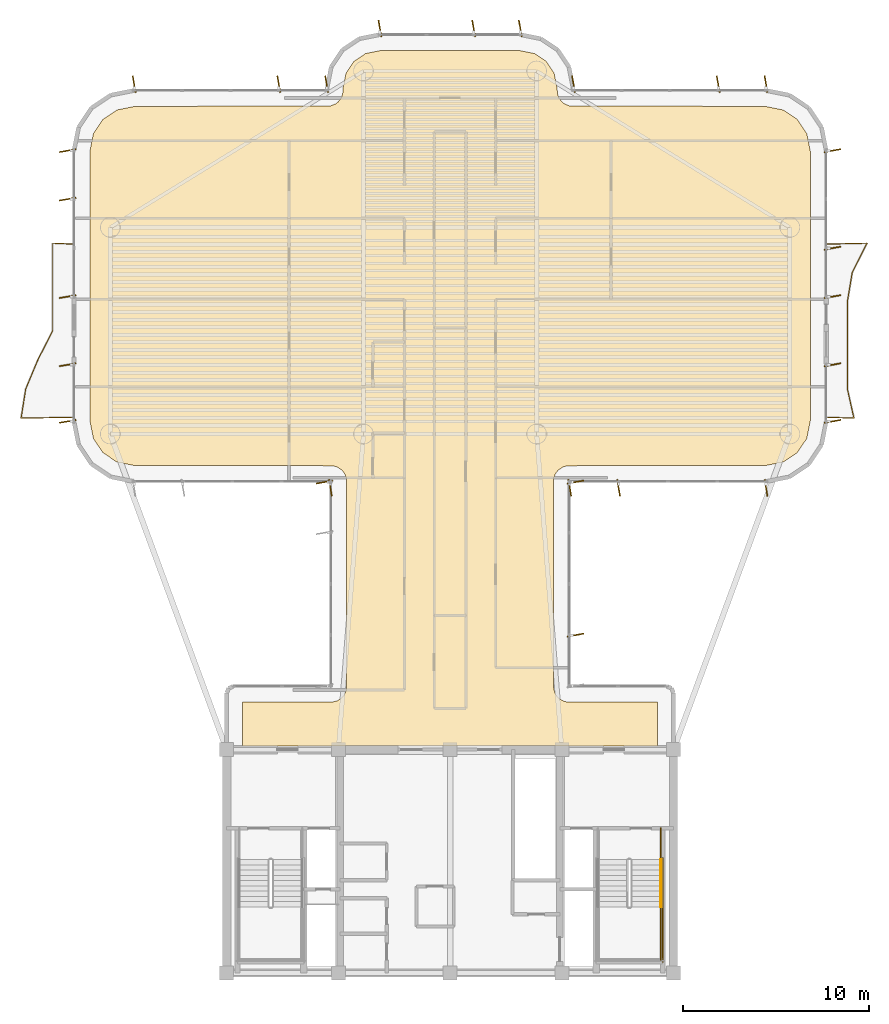
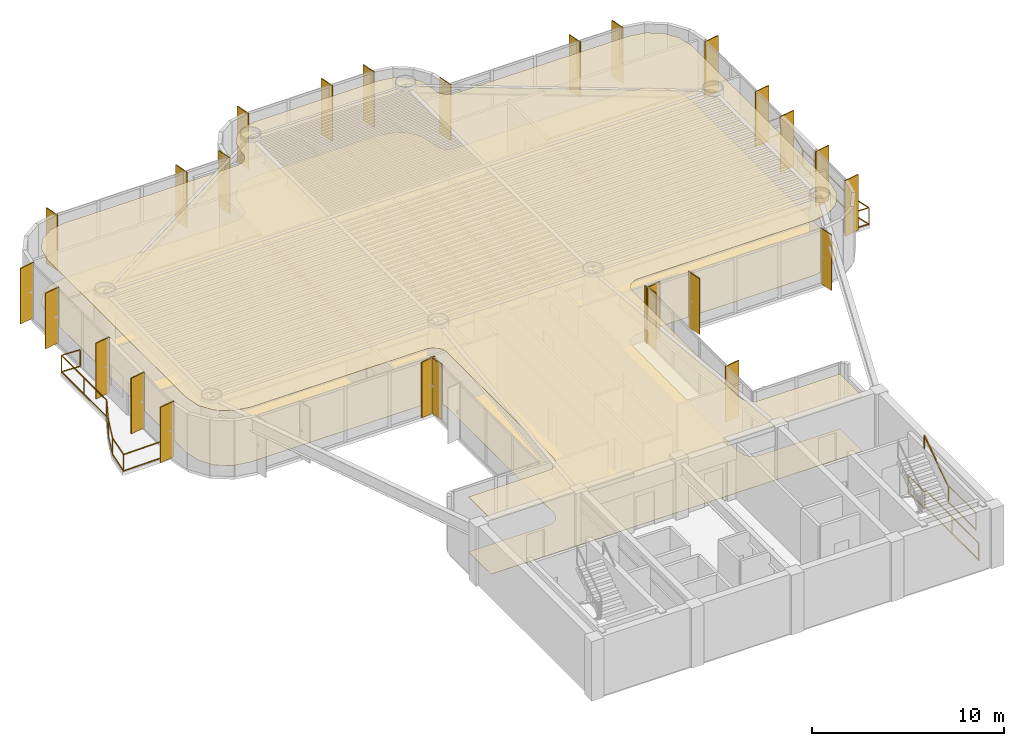
# One storey, part 14 of 14: 26 shading devices, 6 railings, 2 coverings.
"""IFC4 building model written with IfcOpenShell, lengths in metres."""

from ifc_helpers import new_model, si_unit, direction, frame, origin, origin_2d, place, context, subcontext, project, spatial, polyline, rectangle, outline, extrude, source, transform, mapped, material, layer, layer_set, material_profile, profile_set, type_object, element, save


model = new_model("IFC4")

# Units and contexts
model_context = context("Model", 3, precision=1e-05, world=origin(), true_north=direction((0.0, 1.0)))
body_context = subcontext(model_context, "Body", "Model", "MODEL_VIEW")
ifc_project = project(units=[si_unit("LENGTHUNIT", "METRE"), si_unit("AREAUNIT", "SQUARE_METRE"), si_unit("VOLUMEUNIT", "CUBIC_METRE"), si_unit("PLANEANGLEUNIT", "RADIAN"), si_unit("MASSUNIT", "GRAM", prefix="KILO")], contexts=[model_context])

# Site, building, storey
site_placement = place(None, origin())
site = spatial("IfcSite", under=ifc_project, at=site_placement, CompositionType="ELEMENT")
building_placement = place(site_placement, origin())
building = spatial("IfcBuilding", under=site, at=building_placement, Name="Brelvock Crest Care Tower", CompositionType="ELEMENT")
storey_placement = place(building_placement, frame((0.0, 0.0, 194.219970703125)))
storey = spatial("IfcBuildingStorey", under=building, at=storey_placement, Name="L49", CompositionType="ELEMENT", Elevation=194.219970703125)

# Coverings
ifc_material_1 = material(Name="Mineral Fibre Acoustic Ceiling Tile", Category="gypsum")
ifc_layer_1 = layer(ifc_material_1, 0.02490234375, Name="COV-CLG1")
ifc_layer_set_1 = layer_set([ifc_layer_1], Name="Mineral Fibre Acoustic Ceiling Tile")
covering_type_1 = type_object("IfcCoveringType", Name="COV-CLG1", PredefinedType="CEILING", material=ifc_layer_set_1)
covering_1_placement = place(storey_placement, frame((0.0, 0.0, 3.47509765625)))
element("IfcCovering", 1, at=covering_1_placement, inside=storey, type_object=covering_type_1, Name="L49 Acoustic Suspended Ceiling 1", PredefinedType="CEILING", context=body_context, shape_type="SweptSolid", body=[
    extrude(outline(polyline([(24.85009765625, 18.199951171875), (47.14990234375, 18.199951171875), (47.14990234375, 20.550048828125), (42.316650390625, 20.55419921875), (42.1533203125, 20.586669921875), (41.927734375, 20.693359375), (41.742919921875, 20.86083984375), (41.61474609375, 21.07470703125), (41.550048828125, 21.39990234375), (41.56640625, 32.56591796875), (41.650390625, 32.80078125), (41.799072265625, 33.0009765625), (42.07470703125, 33.185302734375), (42.316650390625, 33.245849609375), (52.916259765625, 33.25), (53.892822265625, 33.4443359375), (54.64990234375, 33.9501953125), (55.15576171875, 34.70703125), (55.35009765625, 35.68359375), (55.35009765625, 50.1162109375), (55.15576171875, 51.093017578125), (54.64990234375, 51.849853515625), (53.892822265625, 52.355712890625), (52.916259765625, 52.550048828125), (42.43408203125, 52.56640625), (42.127685546875, 52.693359375), (41.9990234375, 52.799072265625), (41.850341796875, 52.999267578125), (41.766357421875, 53.234130859375), (41.75, 53.516357421875), (41.586181640625, 54.33984375), (41.1669921875, 54.967041015625), (40.539794921875, 55.38623046875), (39.71630859375, 55.550048828125), (32.28369140625, 55.550048828125), (31.460205078125, 55.38623046875), (30.8330078125, 54.967041015625), (30.413818359375, 54.33984375), (30.25, 53.516357421875), (30.233642578125, 53.234130859375), (30.149658203125, 52.999267578125), (30.0009765625, 52.799072265625), (29.872314453125, 52.693359375), (29.56591796875, 52.56640625), (19.083740234375, 52.550048828125), (18.107177734375, 52.355712890625), (17.35009765625, 51.849853515625), (16.84423828125, 51.093017578125), (16.64990234375, 50.1162109375), (16.64990234375, 35.68359375), (16.84423828125, 34.70703125), (17.35009765625, 33.9501953125), (18.107177734375, 33.4443359375), (19.083740234375, 33.25), (29.683349609375, 33.245849609375), (29.92529296875, 33.185302734375), (30.200927734375, 33.0009765625), (30.349609375, 32.80078125), (30.43359375, 32.56591796875), (30.449951171875, 21.39990234375), (30.38525390625, 21.07470703125), (30.257080078125, 20.86083984375), (30.13916015625, 20.742919921875), (29.92529296875, 20.61474609375), (29.683349609375, 20.55419921875), (24.85009765625, 20.550048828125), (24.85009765625, 18.199951171875)])), origin(), (0.0, 0.0, 1.0), 0.02490234375),
])
ifc_material_2 = material(Name="Slip-Resistant Acoustic Vinyl Flooring", Category="finish")
ifc_layer_2 = layer(ifc_material_2, 0.014892578125, Name="COV-FLR1")
ifc_layer_set_2 = layer_set([ifc_layer_2], Name="Slip-Resistant Acoustic Vinyl Flooring")
covering_type_2 = type_object("IfcCoveringType", Name="COV-FLR1", PredefinedType="FLOORING", material=ifc_layer_set_2)
covering_2_placement = place(storey_placement, origin())
element("IfcCovering", 2, at=covering_2_placement, inside=storey, type_object=covering_type_2, Name="L49 Slip-Resistant Acoustic Flooring 1", PredefinedType="FLOORING", context=body_context, shape_type="SweptSolid", body=[
    extrude(outline(polyline([(24.85009765625, 18.199951171875), (47.14990234375, 18.199951171875), (47.14990234375, 20.550048828125), (42.316650390625, 20.55419921875), (42.1533203125, 20.586669921875), (41.927734375, 20.693359375), (41.742919921875, 20.86083984375), (41.61474609375, 21.07470703125), (41.550048828125, 21.39990234375), (41.56640625, 32.56591796875), (41.650390625, 32.80078125), (41.799072265625, 33.0009765625), (42.07470703125, 33.185302734375), (42.316650390625, 33.245849609375), (52.916259765625, 33.25), (53.892822265625, 33.4443359375), (54.64990234375, 33.9501953125), (55.15576171875, 34.70703125), (55.35009765625, 35.68359375), (55.35009765625, 50.1162109375), (55.15576171875, 51.093017578125), (54.64990234375, 51.849853515625), (53.892822265625, 52.355712890625), (52.916259765625, 52.550048828125), (42.43408203125, 52.56640625), (42.127685546875, 52.693359375), (41.9990234375, 52.799072265625), (41.850341796875, 52.999267578125), (41.766357421875, 53.234130859375), (41.75, 53.516357421875), (41.586181640625, 54.33984375), (41.1669921875, 54.967041015625), (40.539794921875, 55.38623046875), (39.71630859375, 55.550048828125), (32.28369140625, 55.550048828125), (31.460205078125, 55.38623046875), (30.8330078125, 54.967041015625), (30.413818359375, 54.33984375), (30.25, 53.516357421875), (30.233642578125, 53.234130859375), (30.149658203125, 52.999267578125), (30.0009765625, 52.799072265625), (29.872314453125, 52.693359375), (29.56591796875, 52.56640625), (19.083740234375, 52.550048828125), (18.107177734375, 52.355712890625), (17.35009765625, 51.849853515625), (16.84423828125, 51.093017578125), (16.64990234375, 50.1162109375), (16.64990234375, 35.68359375), (16.84423828125, 34.70703125), (17.35009765625, 33.9501953125), (18.107177734375, 33.4443359375), (19.083740234375, 33.25), (29.683349609375, 33.245849609375), (29.92529296875, 33.185302734375), (30.200927734375, 33.0009765625), (30.349609375, 32.80078125), (30.43359375, 32.56591796875), (30.449951171875, 21.39990234375), (30.38525390625, 21.07470703125), (30.257080078125, 20.86083984375), (30.13916015625, 20.742919921875), (29.92529296875, 20.61474609375), (29.683349609375, 20.55419921875), (24.85009765625, 20.550048828125), (24.85009765625, 18.199951171875)])), origin(), (0.0, 0.0, 1.0), 0.01513671875),
])

# Railings
ifc_material_3 = material(Name="Dark Glass Double Glazed Low-E", Category="glass")
ifc_layer_3 = layer(ifc_material_3, 0.06005859375, Name="RL-BAL1")
ifc_layer_set_3 = layer_set([ifc_layer_3], Name="Dark Glass Double Glazed Low-E")
railing_type_1 = type_object("IfcRailingType", Name="RL-BAL1", PredefinedType="BALUSTRADE", material=ifc_layer_set_3)
railing_1_placement = place(storey_placement, frame((15.760009765625, 35.85009765625, 0.004150390625)))
element("IfcRailing", 3, at=railing_1_placement, inside=storey, type_object=railing_type_1, Name="L49 Safety Balustrade WB-W", PredefinedType="BALUSTRADE", context=body_context, shape_type="SweptSolid", body=[
    extrude(rectangle(XDim=0.048095703125, YDim=0.048095703125, at=origin_2d()), frame((-0.001953125, 0.0, 1.09619140625), z_axis=(-0.999840293507, -0.017871415134, 0.0), x_axis=(0.017871415134, -0.999840293507, 0.0)), (0.0, 0.0, 1.0), 2.79638671875),
    extrude(rectangle(XDim=0.048095703125, YDim=0.048095703125, at=origin_2d()), frame((-0.001953125, 0.0, 0.054931640625), z_axis=(-0.999840293507, -0.017871415134, 0.0), x_axis=(0.017871415134, -0.999840293507, 0.0)), (0.0, 0.0, 1.0), 2.79638671875),
    extrude(rectangle(XDim=0.048095703125, YDim=0.048095703125, at=origin_2d()), frame((-2.7998046875, -0.048095703125, 1.09619140625), z_axis=(0.156081137103, 0.987744237463, 0.0), x_axis=(-0.987744237463, 0.156081137103, 0.0)), (0.0, 0.0, 1.0), 1.58203125),
    extrude(rectangle(XDim=0.048095703125, YDim=0.048095703125, at=origin_2d()), frame((-2.7998046875, -0.048095703125, 0.054931640625), z_axis=(0.156081137103, 0.987744237463, 0.0), x_axis=(-0.987744237463, 0.156081137103, 0.0)), (0.0, 0.0, 1.0), 1.58203125),
    extrude(rectangle(XDim=0.048095703125, YDim=0.048095703125, at=origin_2d()), frame((-2.5517578125, 1.5185546875, 1.09619140625), z_axis=(0.384155606782, 0.923268362817, 0.0), x_axis=(-0.923268362817, 0.384155606782, 0.0)), (0.0, 0.0, 1.0), 1.69287109375),
    extrude(rectangle(XDim=0.048095703125, YDim=0.048095703125, at=origin_2d()), frame((-2.5517578125, 1.5185546875, 0.054931640625), z_axis=(0.384155606782, 0.923268362817, 0.0), x_axis=(-0.923268362817, 0.384155606782, 0.0)), (0.0, 0.0, 1.0), 1.69287109375),
    extrude(rectangle(XDim=0.048095703125, YDim=0.048095703125, at=origin_2d()), frame((-1.899658203125, 3.0849609375, 1.09619140625), z_axis=(0.455023036608, 0.890479666335, 0.0), x_axis=(-0.890479666335, 0.455023036608, 0.0)), (0.0, 0.0, 1.0), 1.75537109375),
    extrude(rectangle(XDim=0.048095703125, YDim=0.048095703125, at=origin_2d()), frame((-1.899658203125, 3.0849609375, 0.054931640625), z_axis=(0.455023036608, 0.890479666335, 0.0), x_axis=(-0.890479666335, 0.455023036608, 0.0)), (0.0, 0.0, 1.0), 1.75537109375),
    extrude(rectangle(XDim=0.048095703125, YDim=0.048095703125, at=origin_2d()), frame((-1.10009765625, 4.65185546875, 1.09619140625), z_axis=(0.0, 1.0, 0.0), x_axis=(-1.0, 0.0, 0.0)), (0.0, 0.0, 1.0), 4.696044921875),
    extrude(rectangle(XDim=0.048095703125, YDim=0.048095703125, at=origin_2d()), frame((-1.10009765625, 4.65185546875, 0.054931640625), z_axis=(0.0, 1.0, 0.0), x_axis=(-1.0, 0.0, 0.0)), (0.0, 0.0, 1.0), 4.696044921875),
    extrude(rectangle(XDim=0.048095703125, YDim=0.048095703125, at=origin_2d()), frame((-1.09814453125, 9.349853515625, 1.09619140625), z_axis=(0.998966710972, -0.045447886318, 0.0), x_axis=(0.045447886318, 0.998966710972, 0.0)), (0.0, 0.0, 1.0), 1.09716796875),
    extrude(rectangle(XDim=0.048095703125, YDim=0.048095703125, at=origin_2d()), frame((-1.09814453125, 9.349853515625, 0.054931640625), z_axis=(0.998966710972, -0.045447886318, 0.0), x_axis=(0.045447886318, 0.998966710972, 0.0)), (0.0, 0.0, 1.0), 1.09716796875),
    extrude(rectangle(XDim=0.0419921875, YDim=0.0419921875, at=origin_2d()), origin(), (0.0, 0.0, 1.0), 1.070068359375),
    extrude(rectangle(XDim=0.0419921875, YDim=0.0419921875, at=origin_2d()), frame((-2.800048828125, -0.050048828125, 0.0)), (0.0, 0.0, 1.0), 1.070068359375),
    extrude(rectangle(XDim=0.0419921875, YDim=0.0419921875, at=origin_2d()), frame((-2.552490234375, 1.5166015625, 0.0)), (0.0, 0.0, 1.0), 1.070068359375),
    extrude(rectangle(XDim=0.0419921875, YDim=0.0419921875, at=origin_2d()), frame((-1.900634765625, 3.083251953125, 0.0)), (0.0, 0.0, 1.0), 1.070068359375),
    extrude(rectangle(XDim=0.0419921875, YDim=0.0419921875, at=origin_2d()), frame((-1.10009765625, 4.64990234375, 0.0)), (0.0, 0.0, 1.0), 1.070068359375),
    extrude(rectangle(XDim=0.0419921875, YDim=0.0419921875, at=origin_2d()), frame((-1.10009765625, 7.0, 0.0)), (0.0, 0.0, 1.0), 1.070068359375),
    extrude(rectangle(XDim=0.0419921875, YDim=0.0419921875, at=origin_2d()), frame((-1.10009765625, 9.349853515625, 0.0)), (0.0, 0.0, 1.0), 1.070068359375),
    extrude(rectangle(XDim=0.0419921875, YDim=0.0419921875, at=origin_2d()), frame((0.0, 9.2998046875, 0.0)), (0.0, 0.0, 1.0), 1.070068359375),
])
railing_2_placement = place(storey_placement, frame((56.239990234375, 35.85009765625, 0.004150390625)))
element("IfcRailing", 4, at=railing_2_placement, inside=storey, type_object=railing_type_1, Name="L49 Safety Balustrade WB-E", PredefinedType="BALUSTRADE", context=body_context, shape_type="SweptSolid", body=[
    extrude(rectangle(XDim=0.048095703125, YDim=0.048095703125, at=origin_2d()), frame((0.001953125, 0.0, 1.09619140625), z_axis=(0.999404799616, -0.034497050669, 0.0), x_axis=(0.034497050669, 0.999404799616, 0.0)), (0.0, 0.0, 1.0), 1.44677734375),
    extrude(rectangle(XDim=0.048095703125, YDim=0.048095703125, at=origin_2d()), frame((0.001953125, 0.0, 0.054931640625), z_axis=(0.999404799616, -0.034497050669, 0.0), x_axis=(0.034497050669, 0.999404799616, 0.0)), (0.0, 0.0, 1.0), 1.44677734375),
    extrude(rectangle(XDim=0.048095703125, YDim=0.048095703125, at=origin_2d()), frame((1.449462890625, -0.048095703125, 1.09619140625), z_axis=(-0.217944869965, 0.97596108204, 0.0), x_axis=(-0.97596108204, -0.217944869965, 0.0)), (0.0, 0.0, 1.0), 1.601318359375),
    extrude(rectangle(XDim=0.048095703125, YDim=0.048095703125, at=origin_2d()), frame((1.449462890625, -0.048095703125, 0.054931640625), z_axis=(-0.217944869965, 0.97596108204, 0.0), x_axis=(-0.97596108204, -0.217944869965, 0.0)), (0.0, 0.0, 1.0), 1.601318359375),
    extrude(rectangle(XDim=0.048095703125, YDim=0.048095703125, at=origin_2d()), frame((1.10009765625, 1.5185546875, 1.09619140625), z_axis=(0.0, 1.0, 0.0), x_axis=(-1.0, 0.0, 0.0)), (0.0, 0.0, 1.0), 4.696044921875),
    extrude(rectangle(XDim=0.048095703125, YDim=0.048095703125, at=origin_2d()), frame((1.10009765625, 1.5185546875, 0.054931640625), z_axis=(0.0, 1.0, 0.0), x_axis=(-1.0, 0.0, 0.0)), (0.0, 0.0, 1.0), 4.696044921875),
    extrude(rectangle(XDim=0.048095703125, YDim=0.048095703125, at=origin_2d()), frame((1.100341796875, 6.218505859375, 1.09619140625), z_axis=(0.164772855008, 0.986331539723, 0.0), x_axis=(-0.986331539723, 0.164772855008, 0.0)), (0.0, 0.0, 1.0), 1.58447265625),
    extrude(rectangle(XDim=0.048095703125, YDim=0.048095703125, at=origin_2d()), frame((1.100341796875, 6.218505859375, 0.054931640625), z_axis=(0.164772855008, 0.986331539723, 0.0), x_axis=(-0.986331539723, 0.164772855008, 0.0)), (0.0, 0.0, 1.0), 1.58447265625),
    extrude(rectangle(XDim=0.048095703125, YDim=0.048095703125, at=origin_2d()), frame((1.36279296875, 7.784912109375, 1.09619140625), z_axis=(0.451933820118, 0.892051468377, 0.0), x_axis=(-0.892051468377, 0.451933820118, 0.0)), (0.0, 0.0, 1.0), 1.752197265625),
    extrude(rectangle(XDim=0.048095703125, YDim=0.048095703125, at=origin_2d()), frame((1.36279296875, 7.784912109375, 0.054931640625), z_axis=(0.451933820118, 0.892051468377, 0.0), x_axis=(-0.892051468377, 0.451933820118, 0.0)), (0.0, 0.0, 1.0), 1.752197265625),
    extrude(rectangle(XDim=0.048095703125, YDim=0.048095703125, at=origin_2d()), frame((2.153564453125, 9.349853515625, 1.09619140625), z_axis=(-0.999730549413, -0.023212681236, 0.0), x_axis=(0.023212681236, -0.999730549413, 0.0)), (0.0, 0.0, 1.0), 2.152099609375),
    extrude(rectangle(XDim=0.048095703125, YDim=0.048095703125, at=origin_2d()), frame((2.153564453125, 9.349853515625, 0.054931640625), z_axis=(-0.999730549413, -0.023212681236, 0.0), x_axis=(0.023212681236, -0.999730549413, 0.0)), (0.0, 0.0, 1.0), 2.152099609375),
    extrude(rectangle(XDim=0.0419921875, YDim=0.0419921875, at=origin_2d()), origin(), (0.0, 0.0, 1.0), 1.070068359375),
    extrude(rectangle(XDim=0.0419921875, YDim=0.0419921875, at=origin_2d()), frame((1.449951171875, -0.050048828125, 0.0)), (0.0, 0.0, 1.0), 1.070068359375),
    extrude(rectangle(XDim=0.0419921875, YDim=0.0419921875, at=origin_2d()), frame((1.10009765625, 1.5166015625, 0.0)), (0.0, 0.0, 1.0), 1.070068359375),
    extrude(rectangle(XDim=0.0419921875, YDim=0.0419921875, at=origin_2d()), frame((1.10009765625, 3.86669921875, 0.0)), (0.0, 0.0, 1.0), 1.070068359375),
    extrude(rectangle(XDim=0.0419921875, YDim=0.0419921875, at=origin_2d()), frame((1.10009765625, 6.216552734375, 0.0)), (0.0, 0.0, 1.0), 1.070068359375),
    extrude(rectangle(XDim=0.0419921875, YDim=0.0419921875, at=origin_2d()), frame((1.36181640625, 7.783203125, 0.0)), (0.0, 0.0, 1.0), 1.070068359375),
    extrude(rectangle(XDim=0.0419921875, YDim=0.0419921875, at=origin_2d()), frame((2.155517578125, 9.349853515625, 0.0)), (0.0, 0.0, 1.0), 1.070068359375),
    extrude(rectangle(XDim=0.0419921875, YDim=0.0419921875, at=origin_2d()), frame((0.0, 9.2998046875, 0.0)), (0.0, 0.0, 1.0), 1.070068359375),
])
ifc_material_4 = material(Name="Steel Grade 350", Category="steel")
ifc_layer_4 = layer(ifc_material_4, 0.050048828125, Name="RL-STG1")
ifc_layer_set_4 = layer_set([ifc_layer_4], Name="Steel Grade 350")
railing_type_2 = type_object("IfcRailingType", Name="RL-STG1", PredefinedType="GUARDRAIL", material=ifc_layer_set_4)
railing_3_placement = place(storey_placement, frame((47.320068359375, 9.56005859375, 1.89013671875)))
element("IfcRailing", 5, at=railing_3_placement, inside=storey, type_object=railing_type_2, Name="L49 ST-2 stair guard 4", PredefinedType="GUARDRAIL", context=body_context, shape_type="SweptSolid", body=[
    extrude(rectangle(XDim=0.048095703125, YDim=0.048095703125, at=origin_2d()), frame((0.0, -0.001953125, 1.11572265625), z_axis=(0.0, -1.0, 0.0), x_axis=(1.0, 0.0, 0.0)), (0.0, 0.0, 1.0), 2.856201171875),
    extrude(rectangle(XDim=0.048095703125, YDim=0.048095703125, at=origin_2d()), frame((0.0, -0.001953125, 0.054931640625), z_axis=(0.0, -1.0, 0.0), x_axis=(1.0, 0.0, 0.0)), (0.0, 0.0, 1.0), 2.856201171875),
    extrude(rectangle(XDim=0.0419921875, YDim=0.0419921875, at=origin_2d()), origin(), (0.0, 0.0, 1.0), 1.08984375),
    extrude(rectangle(XDim=0.0419921875, YDim=0.0419921875, at=origin_2d()), frame((0.0, -2.860107421875, 0.0)), (0.0, 0.0, 1.0), 1.08984375),
])
railing_4_placement = place(storey_placement, frame((47.320068359375, 13.780029296875, 0.0)))
element("IfcRailing", 6, at=railing_4_placement, inside=storey, type_object=railing_type_2, Name="L49 ST-2 stair guard 9", PredefinedType="GUARDRAIL", context=body_context, shape_type="SweptSolid", body=[
    extrude(rectangle(XDim=0.048095703125, YDim=0.048095703125, at=origin_2d()), frame((0.0, -0.001953125, 1.11572265625), z_axis=(0.0, -1.0, 0.0), x_axis=(1.0, 0.0, 0.0)), (0.0, 0.0, 1.0), 1.696044921875),
    extrude(rectangle(XDim=0.048095703125, YDim=0.048095703125, at=origin_2d()), frame((0.0, -0.001953125, 0.054931640625), z_axis=(0.0, -1.0, 0.0), x_axis=(1.0, 0.0, 0.0)), (0.0, 0.0, 1.0), 1.696044921875),
    extrude(rectangle(XDim=0.0419921875, YDim=0.0419921875, at=origin_2d()), origin(), (0.0, 0.0, 1.0), 1.08984375),
    extrude(rectangle(XDim=0.0419921875, YDim=0.0419921875, at=origin_2d()), frame((0.0, -1.699951171875, 0.0)), (0.0, 0.0, 1.0), 1.08984375),
])
railing_5_placement = place(storey_placement, frame((47.419921875, 12.179931640625, 0.0)))
element("IfcRailing", 7, at=railing_5_placement, inside=storey, type_object=railing_type_2, Name="L49 ST-2 stair guard 11", PredefinedType="GUARDRAIL", context=body_context, shape_type="SweptSolid", body=[
    extrude(rectangle(XDim=0.048095703125, YDim=0.048095703125, at=origin_2d()), frame((0.0, -0.001953125, 1.11572265625), z_axis=(0.0, -1.0, 0.0), x_axis=(1.0, 0.0, 0.0)), (0.0, 0.0, 1.0), 5.575927734375),
    extrude(rectangle(XDim=0.048095703125, YDim=0.048095703125, at=origin_2d()), frame((0.0, -0.001953125, 0.054931640625), z_axis=(0.0, -1.0, 0.0), x_axis=(1.0, 0.0, 0.0)), (0.0, 0.0, 1.0), 5.575927734375),
    extrude(rectangle(XDim=0.0419921875, YDim=0.0419921875, at=origin_2d()), origin(), (0.0, 0.0, 1.0), 1.08984375),
    extrude(rectangle(XDim=0.0419921875, YDim=0.0419921875, at=origin_2d()), frame((0.0, -2.7900390625, 0.0)), (0.0, 0.0, 1.0), 1.08984375),
    extrude(rectangle(XDim=0.0419921875, YDim=0.0419921875, at=origin_2d()), frame((0.0, -5.579833984375, 0.0)), (0.0, 0.0, 1.0), 1.08984375),
])
ifc_layer_5 = layer(ifc_material_4, 0.048095703125, Name="RL-STH1")
ifc_layer_set_5 = layer_set([ifc_layer_5], Name="Steel Grade 350")
railing_type_3 = type_object("IfcRailingType", Name="RL-STH1", PredefinedType="HANDRAIL", material=ifc_layer_set_5)
railing_6_placement = place(storey_placement, frame((47.320068359375, 9.56005859375, 2.0791015625)))
element("IfcRailing", 8, at=railing_6_placement, inside=storey, type_object=railing_type_3, Name="L49 ST-2 stair handrail 2", PredefinedType="HANDRAIL", context=body_context, shape_type="SweptSolid", body=[
    extrude(rectangle(XDim=0.048095703125, YDim=0.048095703125, at=origin_2d()), frame((0.0, 0.001708984375, 0.876953125), z_axis=(0.0, 0.828861706735, 0.559453546873), x_axis=(-1.0, 0.0, 0.0)), (0.0, 0.0, 1.0), 3.036376953125),
    extrude(rectangle(XDim=0.0419921875, YDim=0.0419921875, at=origin_2d()), origin(), (0.0, 0.0, 1.0), 0.849853515625),
    extrude(rectangle(XDim=0.0419921875, YDim=0.0419921875, at=origin_2d()), frame((0.0, 2.52001953125, 1.700927734375)), (0.0, 0.0, 1.0), 0.849853515625),
])

# Shading devices
ifc_material_5 = material(Name="Aluminium 6063-T6", Category="aluminium")
ifc_material_profile = material_profile(ifc_material_5, rectangle(XDim=0.054931640625, YDim=0.89990234375, at=origin_2d()), Name="FIN55x900")
ifc_profile_set = profile_set([ifc_material_profile], Name="Aluminium 6063-T6")
shading_device_type = type_object("IfcShadingDeviceType", Name="SHD-FIN1", PredefinedType="USERDEFINED", material=ifc_profile_set)
shared_shape = source(origin(), body_context, "Body", "SweptSolid", [
    extrude(rectangle(XDim=0.054931640625, YDim=0.89990234375, at=origin_2d()), origin(), (0.0, 0.0, 1.0), 3.530029296875),
])
for number, where, z_axis, x_axis, name in (
    (9, (29.260009765625, 32.3701171875, 0.0), (0.0, 0.0, 1.0), (-0.173648177667, 0.984807753012, 0.0), "L49 Vertical Sunshade Fin E11-05"),
    (10, (29.570068359375, 32.06005859375, 0.0), (0.0, 0.0, 1.0), (-0.984807753012, -0.173648177667, 0.0), "L49 Vertical Sunshade Fin E12-01"),
    (11, (15.4599609375, 35.6298828125, 0.0), (0.0, 0.0, 1.0), (-0.173648177667, 0.984807753012, 0.0), "L49 Vertical Sunshade Fin E17A-01"),
    (12, (15.4599609375, 38.669921875, 0.0), (0.0, 0.0, 1.0), (-0.173648177667, 0.984807753012, 0.0), "L49 Vertical Sunshade Fin E17A-02"),
    (13, (15.4599609375, 42.330078125, 0.0), (0.0, 0.0, 1.0), (-0.173648177667, 0.984807753012, 0.0), "L49 Vertical Sunshade Fin E17B-01"),
    (14, (15.4599609375, 47.566650390625, 0.0), (0.0, 0.0, 1.0), (-0.173648177667, 0.984807753012, 0.0), "L49 Vertical Sunshade Fin E17B-03"),
    (15, (15.4599609375, 50.169921875, 0.0), (0.0, 0.0, 1.0), (-0.173648177667, 0.984807753012, 0.0), "L49 Vertical Sunshade Fin E17B-04"),
    (16, (19.030029296875, 53.739990234375, 0.0), (0.0, 0.0, 1.0), (0.984807753012, 0.173648177667, 0.0), "L49 Vertical Sunshade Fin E22-01"),
    (17, (26.800048828125, 53.739990234375, 0.0), (0.0, 0.0, 1.0), (0.984807753012, 0.173648177667, 0.0), "L49 Vertical Sunshade Fin E22-04"),
    (18, (29.3701171875, 53.739990234375, 0.0), (0.0, 0.0, 1.0), (0.984807753012, 0.173648177667, 0.0), "L49 Vertical Sunshade Fin E22-05"),
    (19, (32.22998046875, 56.739990234375, 0.0), (0.0, 0.0, 1.0), (0.984807753012, 0.173648177667, 0.0), "L49 Vertical Sunshade Fin E28-01"),
    (20, (37.2666015625, 56.739990234375, 0.0), (0.0, 0.0, 1.0), (0.984807753012, 0.173648177667, 0.0), "L49 Vertical Sunshade Fin E28-03"),
    (21, (39.77001953125, 56.739990234375, 0.0), (0.0, 0.0, 1.0), (0.984807753012, 0.173648177667, 0.0), "L49 Vertical Sunshade Fin E28-04"),
    (22, (42.6298828125, 53.739990234375, 0.0), (0.0, 0.0, 1.0), (0.984807753012, 0.173648177667, 0.0), "L49 Vertical Sunshade Fin E34-01"),
    (23, (50.39990234375, 53.739990234375, 0.0), (0.0, 0.0, 1.0), (0.984807753012, 0.173648177667, 0.0), "L49 Vertical Sunshade Fin E34-04"),
    (24, (52.969970703125, 53.739990234375, 0.0), (0.0, 0.0, 1.0), (0.984807753012, 0.173648177667, 0.0), "L49 Vertical Sunshade Fin E34-05"),
    (25, (56.5400390625, 50.169921875, 0.0), (0.0, 0.0, 1.0), (0.173648177667, -0.984807753012, 0.0), "L49 Vertical Sunshade Fin E39A-01"),
    (26, (56.5400390625, 44.933349609375, 0.0), (0.0, 0.0, 1.0), (0.173648177667, -0.984807753012, 0.0), "L49 Vertical Sunshade Fin E39A-03"),
    (27, (56.5400390625, 42.330078125, 0.0), (0.0, 0.0, 1.0), (0.173648177667, -0.984807753012, 0.0), "L49 Vertical Sunshade Fin E39A-04"),
    (28, (56.5400390625, 38.669921875, 0.0), (0.0, 0.0, 1.0), (0.173648177667, -0.984807753012, 0.0), "L49 Vertical Sunshade Fin E39B-01"),
    (29, (56.5400390625, 35.6298828125, 0.0), (0.0, 0.0, 1.0), (0.173648177667, -0.984807753012, 0.0), "L49 Vertical Sunshade Fin E39B-02"),
    (30, (52.969970703125, 32.06005859375, 0.0), (0.0, 0.0, 1.0), (-0.984807753012, -0.173648177667, 0.0), "L49 Vertical Sunshade Fin E44-01"),
    (31, (45.050048828125, 32.06005859375, 0.0), (0.0, 0.0, 1.0), (-0.984807753012, -0.173648177667, 0.0), "L49 Vertical Sunshade Fin E44-04"),
    (32, (42.429931640625, 32.06005859375, 0.0), (0.0, 0.0, 1.0), (-0.984807753012, -0.173648177667, 0.0), "L49 Vertical Sunshade Fin E44-05"),
    (33, (42.739990234375, 32.3701171875, 0.0), (0.0, 0.0, 1.0), (0.173648177667, -0.984807753012, 0.0), "L49 Vertical Sunshade Fin E45-01"),
    (34, (42.739990234375, 24.14990234375, 0.0), (0.0, 0.0, 1.0), (0.173648177667, -0.984807753012, 0.0), "L49 Vertical Sunshade Fin E45-04"),
):
    element("IfcShadingDevice", number, at=place(storey_placement, frame(where, z_axis=z_axis, x_axis=x_axis)), inside=storey, type_object=shading_device_type, Name=name, ObjectType="FIN", PredefinedType="USERDEFINED", context=body_context, shape_type="MappedRepresentation", body=[
        mapped(shared_shape, transform((0.0, 0.0, 0.0), x_axis=(1.0, 0.0, 0.0), y_axis=(0.0, 1.0, 0.0), z_axis=(0.0, 0.0, 1.0), scale=1.0)),
    ])

save(model, "model.ifc")
